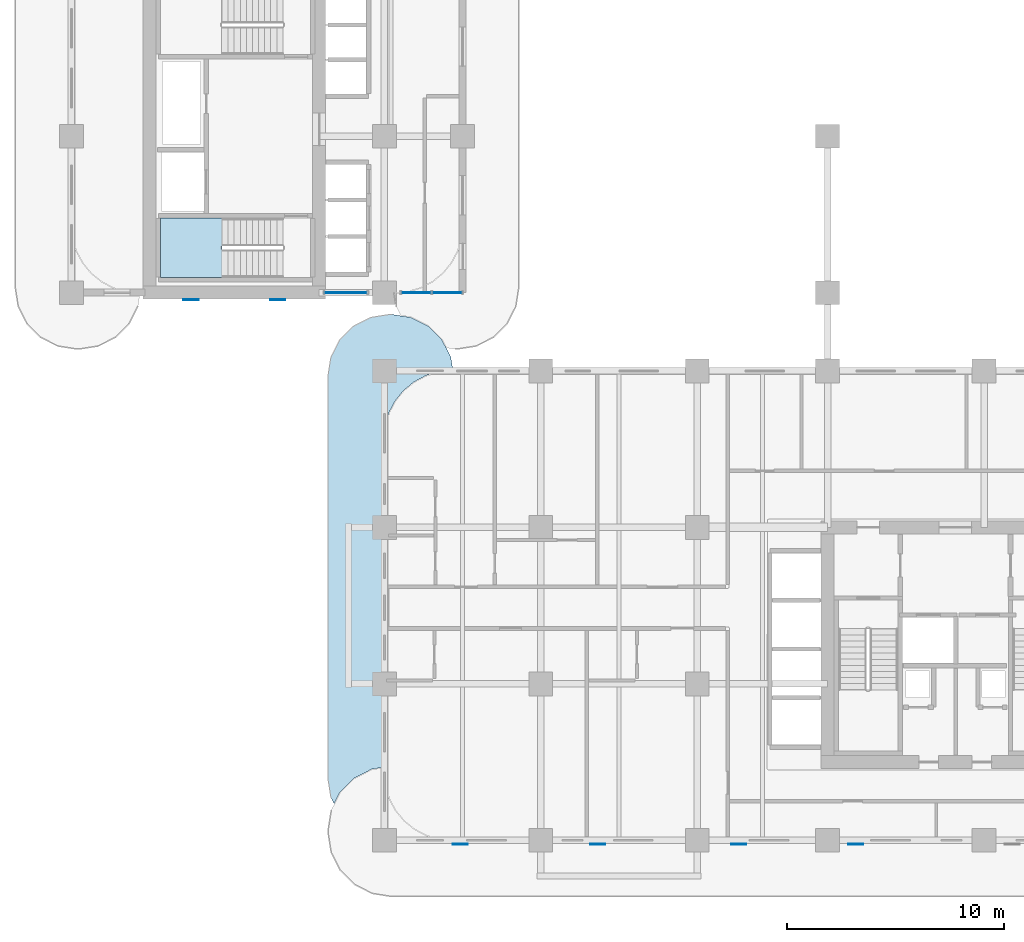
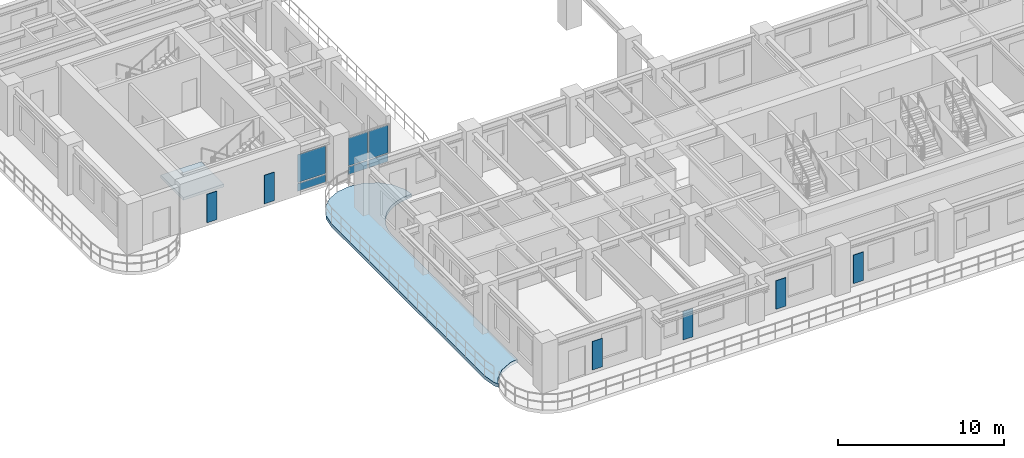
# One storey, part 4 of 19: 12 plates, 2 slabs, 3 elements without a shape of their own.
"""IFC4 building model written with IfcOpenShell, lengths in metres."""

from ifc_helpers import new_model, si_unit, derived_unit, direction, frame, origin, origin_2d, place, context, subcontext, project, spatial, polyline, rectangle, outline, extrude, source, transform, mapped, material, layer, layer_set, type_object, type_shapes, element, aggregate, save


model = new_model("IFC4")

# Units and contexts
model_context = context("Model", 3, precision=1e-05, world=origin(), true_north=direction((0.0, 1.0)))
body_context = subcontext(model_context, "Body", "Model", "MODEL_VIEW")
ifc_project = project(units=[si_unit("LENGTHUNIT", "METRE"), si_unit("AREAUNIT", "SQUARE_METRE"), si_unit("VOLUMEUNIT", "CUBIC_METRE"), si_unit("PLANEANGLEUNIT", "RADIAN"), si_unit("MASSUNIT", "GRAM", prefix="KILO"), si_unit("THERMODYNAMICTEMPERATUREUNIT", "KELVIN"), si_unit("POWERUNIT", "WATT"), derived_unit("THERMALTRANSMITTANCEUNIT", [(si_unit("POWERUNIT", "WATT"), 1), (si_unit("AREAUNIT", "SQUARE_METRE"), -1), (si_unit("THERMODYNAMICTEMPERATUREUNIT", "KELVIN"), -1)])], contexts=[model_context])

# Site, building, storey
site_placement = place(None, origin())
site = spatial("IfcSite", under=ifc_project, at=site_placement, CompositionType="ELEMENT")
building_placement = place(site_placement, origin())
building = spatial("IfcBuilding", under=site, at=building_placement, Name="Zahravan Archway Hotel and Residences", CompositionType="ELEMENT")
storey_placement = place(building_placement, frame((0.0, 0.0, 47.199951171875)))
storey = spatial("IfcBuildingStorey", under=building, at=storey_placement, Name="L10", CompositionType="ELEMENT", Elevation=47.199951171875)

# Slab
ifc_material_1 = material(Name="Concrete C45/55", Category="concrete")
ifc_layer_1 = layer(ifc_material_1, 0.25, Name="Concrete C45/55", Category="concrete")
ifc_layer_set_1 = layer_set([ifc_layer_1], Name="Concrete C45/55")
slab_type_1 = type_object("IfcSlabType", Name="SLB-BALC-250", PredefinedType="FLOOR", material=ifc_layer_set_1)
slab_1_placement = place(storey_placement, frame((0.0, 0.0, -0.25)))
element("IfcSlab", 1, at=slab_1_placement, inside=storey, type_object=slab_type_1, Name="L10 Wing A West Rounded Balcony Band", PredefinedType="FLOOR", context=body_context, shape_type="SweptSolid", body=[
    extrude(outline(polyline([(11.939453125, 1.96923828125), (11.800048828125, 2.85009765625), (11.800048828125, 21.35009765625), (11.939453125, 22.230712890625), (12.34423828125, 23.025146484375), (12.974853515625, 23.65576171875), (13.769287109375, 24.060546875), (14.64990234375, 24.199951171875), (14.75, 24.199951171875), (15.630615234375, 24.060546875), (16.42529296875, 23.65576171875), (17.0556640625, 23.025146484375), (17.46044921875, 22.230712890625), (17.55712890625, 21.6201171875), (17.5, 21.6201171875), (17.498046875, 21.619873046875), (16.893310546875, 21.560302734375), (16.891357421875, 21.56005859375), (16.889404296875, 21.5595703125), (16.307861328125, 21.383056640625), (16.305908203125, 21.382568359375), (16.30419921875, 21.381591796875), (15.768310546875, 21.09521484375), (15.7666015625, 21.09423828125), (15.764892578125, 21.093017578125), (15.29541015625, 20.70751953125), (15.2939453125, 20.7060546875), (15.29248046875, 20.70458984375), (14.906982421875, 20.235107421875), (14.90576171875, 20.2333984375), (14.90478515625, 20.231689453125), (14.618408203125, 19.69580078125), (14.617431640625, 19.694091796875), (14.616943359375, 19.692138671875), (14.4404296875, 19.110595703125), (14.43994140625, 19.108642578125), (14.439697265625, 19.106689453125), (14.380126953125, 18.501953125), (14.3798828125, 18.5), (14.3798828125, 3.361328125), (14.37890625, 3.361328125), (14.376953125, 3.361083984375), (13.835205078125, 3.275390625), (13.833251953125, 3.27490234375), (13.831298828125, 3.2744140625), (13.829345703125, 3.2734375), (13.0068359375, 2.8544921875), (13.005126953125, 2.853515625), (13.00341796875, 2.85205078125), (13.001953125, 2.8505859375), (12.349365234375, 2.197998046875), (12.347900390625, 2.196533203125), (12.3466796875, 2.19482421875), (12.345703125, 2.193115234375), (12.08544921875, 1.6826171875), (11.939453125, 1.96923828125)])), origin(), (0.0, 0.0, 1.0), 0.25),
])

# Stair, slab
ifc_material_2 = material(Name="Concrete C50/60", Category="concrete")
stair_type = type_object("IfcStairType", Name="STR-CORE-1300", PredefinedType="HALF_TURN_STAIR", material=ifc_material_2)
stair_placement = place(storey_placement, origin())
stair = element("IfcStair", 2, at=stair_placement, inside=storey, type_object=stair_type, Name="L10 Core B Exit Stair 1", PredefinedType="HALF_TURN_STAIR")
ifc_layer_2 = layer(ifc_material_2, 0.199951171875, Name="Concrete C50/60", Category="concrete")
ifc_layer_set_2 = layer_set([ifc_layer_2], Name="Concrete C50/60")
slab_type_2 = type_object("IfcSlabType", Name="SLB-LND-200", PredefinedType="LANDING", material=ifc_layer_set_2)
slab_2_placement = place(storey_placement, frame((0.0, 0.0, 1.650146484375)))
slab_2 = element("IfcSlab", 3, at=slab_2_placement, type_object=slab_type_2, Name="ST-B1 landing 1", PredefinedType="LANDING", context=body_context, shape_type="SweptSolid", body=[
    extrude(outline(polyline([(6.929931640625, 28.639892578125), (4.10009765625, 28.639892578125), (4.10009765625, 25.89990234375), (6.929931640625, 25.89990234375), (6.929931640625, 28.639892578125)])), origin(), (0.0, 0.0, 1.0), 0.199951171875),
])
aggregate(stair, [slab_2])

# Plates
ifc_material_3 = material(Name="Perforated Cast Bronze Jali Lattice")
ifc_layer_3 = layer(ifc_material_3, 0.044921875, Name="Perforated Cast Bronze Jali Lattice")
ifc_layer_set_3 = layer_set([ifc_layer_3], Name="Perforated Cast Bronze Jali Lattice")
plate_type_1 = type_object("IfcPlateType", Name="PLT-JALI-BAY", PredefinedType="USERDEFINED", material=ifc_layer_set_3)
shared_shape_1 = source(origin(), body_context, "Body", "SweptSolid", [
    extrude(rectangle(XDim=0.699951171875, YDim=0.044921875, at=origin_2d()), origin(), (0.0, 0.0, 1.0), 2.10009765625),
])
type_shapes(plate_type_1, [shared_shape_1])
for number, where, z_axis, x_axis, name in (
    (4, (5.5, 24.882080078125, 0.25), (0.0, 0.0, 1.0), (1.0, 0.0, 0.0), "L10 Core B South Mughal Jali Screen 1"),
    (5, (9.5, 24.882080078125, 0.25), (0.0, 0.0, 1.0), (1.0, 0.0, 0.0), "L10 Core B South Mughal Jali Screen 2"),
    (6, (17.89990234375, -0.177978515625, 0.25), (0.0, 0.0, 1.0), (1.0, 0.0, 0.0), "L10 Perforated Bronze Jali Pier Screen 01"),
    (7, (24.22802734375, -0.177978515625, 0.25), (0.0, 0.0, 1.0), (1.0, 0.0, 0.0), "L10 Perforated Bronze Jali Pier Screen 02"),
    (8, (30.7080078125, -0.177978515625, 0.25), (0.0, 0.0, 1.0), (1.0, 0.0, 0.0), "L10 Perforated Bronze Jali Pier Screen 03"),
    (9, (36.10009765625, -0.177978515625, 0.25), (0.0, 0.0, 1.0), (1.0, 0.0, 0.0), "L10 Perforated Bronze Jali Pier Screen 04"),
):
    element("IfcPlate", number, at=place(storey_placement, frame(where, z_axis=z_axis, x_axis=x_axis)), inside=storey, type_object=plate_type_1, Name=name, ObjectType="SCREEN", PredefinedType="USERDEFINED", context=body_context, shape_type="MappedRepresentation", body=[
        mapped(shared_shape_1, transform((0.0, 0.0, 0.0), scale=1.0)),
    ])

# Curtain wall, plates
ifc_material_4 = material(Name="Bronze-Anodized Unitised Aluminium & Low-E Glass", Category="aluminium")
ifc_layer_4 = layer(ifc_material_4, 0.179931640625, Name="Bronze-Anodized Unitised Aluminium & Low-E Glass", Category="aluminium")
ifc_layer_set_4 = layer_set([ifc_layer_4], Name="Bronze-Anodized Unitised Aluminium & Low-E Glass")
curtain_wall_type = type_object("IfcCurtainWallType", Name="CW-TWR-FEAT", PredefinedType="NOTDEFINED", material=ifc_layer_set_4)
curtain_wall_1_placement = place(storey_placement, origin())
curtain_wall_1 = element("IfcCurtainWall", 10, at=curtain_wall_1_placement, inside=storey, type_object=curtain_wall_type, Name="L10 Curtain Wall CW-L10-WB-SE-1", PredefinedType="NOTDEFINED")
ifc_material_5 = material(Name="Insulated Terracotta Spandrel Panel", Category="masonry")
ifc_layer_5 = layer(ifc_material_5, 0.0400390625, Name="Insulated Terracotta Spandrel Panel", Category="masonry")
ifc_layer_set_5 = layer_set([ifc_layer_5], Name="Insulated Terracotta Spandrel Panel")
plate_type_2 = type_object("IfcPlateType", Name="CWP-SPN-40", PredefinedType="SHEET", material=ifc_layer_set_5)
shared_shape_2 = source(origin(), body_context, "Body", "SweptSolid", [
    extrude(rectangle(XDim=1.93994140625, YDim=0.0400390625, at=origin_2d()), origin(), (0.0, 0.0, 1.0), 0.552490234375),
])
plate_1_placement = place(storey_placement, frame((12.6298828125, 25.199951171875, 0.10009765625), z_axis=(0.0, 0.0, 1.0), x_axis=(1.0, 0.0, 0.0)))
plate_1 = element("IfcPlate", 11, at=plate_1_placement, type_object=plate_type_2, Name="CW-L10-WB-SE-1 Spandrel Panel 0", PredefinedType="SHEET", context=body_context, shape_type="MappedRepresentation", body=[
    mapped(shared_shape_2, transform((0.0, 0.0, 0.0), scale=1.0)),
])
ifc_material_6 = material(Name="Double-Silver Low-E Insulated Vision Glass", Category="glass")
ifc_layer_6 = layer(ifc_material_6, 0.028076171875, Name="Double-Silver Low-E Insulated Vision Glass", Category="glass")
ifc_layer_set_6 = layer_set([ifc_layer_6], Name="Double-Silver Low-E Insulated Vision Glass")
plate_type_3 = type_object("IfcPlateType", Name="CWP-GLZ-28", PredefinedType="CURTAIN_PANEL", material=ifc_layer_set_6)
shared_shape_3 = source(origin(), body_context, "Body", "SweptSolid", [
    extrude(rectangle(XDim=1.93994140625, YDim=0.028076171875, at=origin_2d()), origin(), (0.0, 0.0, 1.0), 2.052490234375),
])
plate_2_placement = place(storey_placement, frame((12.6298828125, 25.199951171875, 0.732421875), z_axis=(0.0, 0.0, 1.0), x_axis=(1.0, 0.0, 0.0)))
plate_2 = element("IfcPlate", 12, at=plate_2_placement, type_object=plate_type_3, Name="CW-L10-WB-SE-1 Low-E Vision Panel 0", PredefinedType="CURTAIN_PANEL", context=body_context, shape_type="MappedRepresentation", body=[
    mapped(shared_shape_3, transform((0.0, 0.0, 0.0), scale=1.0)),
])
aggregate(curtain_wall_1, [plate_1, plate_2])

curtain_wall_2_placement = place(storey_placement, origin())
curtain_wall_2 = element("IfcCurtainWall", 13, at=curtain_wall_2_placement, inside=storey, type_object=curtain_wall_type, Name="L10 Curtain Wall CW-L10-WB-SE-2", PredefinedType="NOTDEFINED")
shared_shape_4 = source(origin(), body_context, "Body", "SweptSolid", [
    extrude(rectangle(XDim=1.340087890625, YDim=0.0400390625, at=origin_2d()), origin(), (0.0, 0.0, 1.0), 0.552490234375),
])
plate_3_placement = place(storey_placement, frame((15.8701171875, 25.199951171875, 0.10009765625), z_axis=(0.0, 0.0, 1.0), x_axis=(1.0, 0.0, 0.0)))
plate_3 = element("IfcPlate", 14, at=plate_3_placement, type_object=plate_type_2, Name="CW-L10-WB-SE-2 Spandrel Panel 0", PredefinedType="SHEET", context=body_context, shape_type="MappedRepresentation", body=[
    mapped(shared_shape_4, transform((0.0, 0.0, 0.0), scale=1.0)),
])
plate_4_placement = place(storey_placement, frame((17.2900390625, 25.199951171875, 0.10009765625), z_axis=(0.0, 0.0, 1.0), x_axis=(1.0, 0.0, 0.0)))
plate_4 = element("IfcPlate", 15, at=plate_4_placement, type_object=plate_type_2, Name="CW-L10-WB-SE-2 Spandrel Panel 1", PredefinedType="SHEET", context=body_context, shape_type="MappedRepresentation", body=[
    mapped(shared_shape_4, transform((0.0, 0.0, 0.0), scale=1.0)),
])
shared_shape_5 = source(origin(), body_context, "Body", "SweptSolid", [
    extrude(rectangle(XDim=1.340087890625, YDim=0.028076171875, at=origin_2d()), origin(), (0.0, 0.0, 1.0), 2.052490234375),
])
plate_5_placement = place(storey_placement, frame((15.8701171875, 25.199951171875, 0.732421875), z_axis=(0.0, 0.0, 1.0), x_axis=(1.0, 0.0, 0.0)))
plate_5 = element("IfcPlate", 16, at=plate_5_placement, type_object=plate_type_3, Name="CW-L10-WB-SE-2 Low-E Vision Panel 0", PredefinedType="CURTAIN_PANEL", context=body_context, shape_type="MappedRepresentation", body=[
    mapped(shared_shape_5, transform((0.0, 0.0, 0.0), scale=1.0)),
])
plate_6_placement = place(storey_placement, frame((17.2900390625, 25.199951171875, 0.732421875), z_axis=(0.0, 0.0, 1.0), x_axis=(1.0, 0.0, 0.0)))
plate_6 = element("IfcPlate", 17, at=plate_6_placement, type_object=plate_type_3, Name="CW-L10-WB-SE-2 Low-E Vision Panel 1", PredefinedType="CURTAIN_PANEL", context=body_context, shape_type="MappedRepresentation", body=[
    mapped(shared_shape_5, transform((0.0, 0.0, 0.0), scale=1.0)),
])
aggregate(curtain_wall_2, [plate_3, plate_5, plate_4, plate_6])

save(model, "model.ifc")
